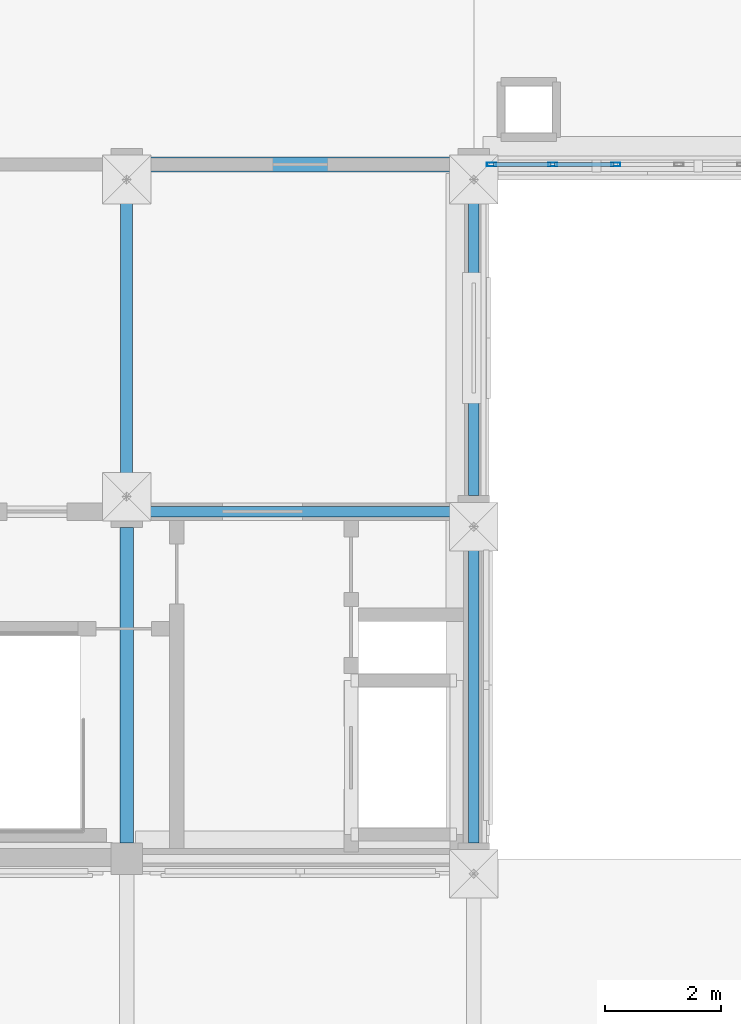
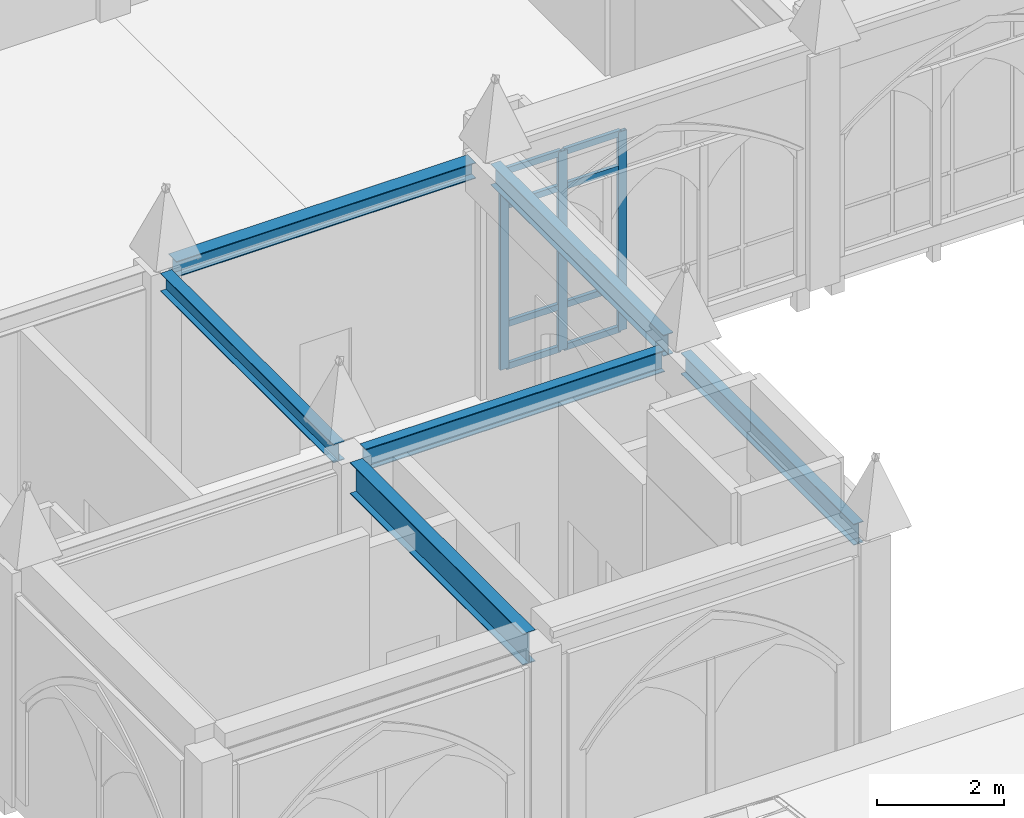
# One storey, part 38 of 108: 11 members, 6 beams, 1 element without a shape of its own.
"""IFC4 building model written with IfcOpenShell, lengths in metres."""

from ifc_helpers import new_model, si_unit, direction, frame, origin, origin_2d, place, context, subcontext, project, spatial, hollow_rectangle, i_section, extrude, material, layer, layer_set, material_profile, profile_set, type_object, element, aggregate, save


model = new_model("IFC4")

# Units and contexts
model_context = context("Model", 3, precision=1e-05, world=origin(), true_north=direction((0.0, 1.0)))
body_context = subcontext(model_context, "Body", "Model", "MODEL_VIEW")
ifc_project = project(units=[si_unit("LENGTHUNIT", "METRE"), si_unit("AREAUNIT", "SQUARE_METRE"), si_unit("VOLUMEUNIT", "CUBIC_METRE"), si_unit("PLANEANGLEUNIT", "RADIAN"), si_unit("MASSUNIT", "GRAM", prefix="KILO")], contexts=[model_context])

# Site, building, storey
site_placement = place(None, origin())
site = spatial("IfcSite", under=ifc_project, at=site_placement, CompositionType="ELEMENT")
building_placement = place(site_placement, origin())
building = spatial("IfcBuilding", under=site, at=building_placement, Name="Cumevento Cable Car Station", CompositionType="ELEMENT")
storey_placement = place(building_placement, frame((0.0, 0.0, 13.5)))
storey = spatial("IfcBuildingStorey", under=building, at=storey_placement, Name="L04", CompositionType="ELEMENT", Elevation=13.5)

# Curtain wall, members
ifc_material_1 = material(Name="Anodised Bronze Aluminium AW-6063-T6", Category="aluminium")
ifc_layer = layer(ifc_material_1, 0.172119140625)
ifc_layer_set = layer_set([ifc_layer], Name="Anodised Bronze Aluminium AW-6063-T6")
curtain_wall_type = type_object("IfcCurtainWallType", Name="Lancet Curtain Wall CW-03 1130", PredefinedType="NOTDEFINED", material=ifc_layer_set)
curtain_wall_placement = place(storey_placement, origin())
curtain_wall = element("IfcCurtainWall", 1, at=curtain_wall_placement, inside=storey, type_object=curtain_wall_type, Name="Lancet Curtain Wall CW-03 L04 #178", PredefinedType="NOTDEFINED")
ifc_material_2 = material(Name="Anodised Bronze Aluminium AW-6063-T6", Category="aluminium")
ifc_material_profile_1 = material_profile(ifc_material_2, hollow_rectangle(XDim=0.06494140625, YDim=0.159912109375, WallThickness=0.00390625, at=origin_2d()), Name="ALUM65x160x4")
ifc_profile_set_1 = profile_set([ifc_material_profile_1], Name="Anodised Bronze Aluminium AW-6063-T6")
member_type_1 = type_object("IfcMemberType", Name="Curtain Mullion CWM-01 ALUM65x160x4", PredefinedType="MULLION", material=ifc_profile_set_1)
member_1_placement = place(storey_placement, frame((132.455078125, 33.0, 0.260009765625), z_axis=(0.0, 0.0, 1.0), x_axis=(0.0, -1.0, 0.0)))
member_1 = element("IfcMember", 2, at=member_1_placement, type_object=member_type_1, Name="CW-03 mullion 4", PredefinedType="MULLION", context=body_context, shape_type="SweptSolid", body=[
    extrude(hollow_rectangle(XDim=0.06494140625, YDim=0.159912109375, WallThickness=0.00390625, at=origin_2d()), origin(), (0.0, 0.0, 1.0), 3.8330078125),
])
member_2_placement = place(storey_placement, frame((131.364990234375, 33.0, 0.260009765625), z_axis=(0.0, 0.0, 1.0), x_axis=(0.0, -1.0, 0.0)))
member_2 = element("IfcMember", 3, at=member_2_placement, type_object=member_type_1, Name="CW-03 mullion 5", PredefinedType="MULLION", context=body_context, shape_type="SweptSolid", body=[
    extrude(hollow_rectangle(XDim=0.06494140625, YDim=0.159912109375, WallThickness=0.00390625, at=origin_2d()), origin(), (0.0, 0.0, 1.0), 3.8330078125),
])
member_3_placement = place(storey_placement, frame((130.3076171875, 33.0, 0.260009765625), z_axis=(0.0, 0.0, 1.0), x_axis=(0.0, -1.0, 0.0)))
member_3 = element("IfcMember", 4, at=member_3_placement, type_object=member_type_1, Name="CW-03 mullion 6", PredefinedType="MULLION", context=body_context, shape_type="SweptSolid", body=[
    extrude(hollow_rectangle(XDim=0.06494140625, YDim=0.159912109375, WallThickness=0.00390625, at=origin_2d()), origin(), (0.0, 0.0, 1.0), 3.8330078125),
])
ifc_material_3 = material(Name="Anodised Bronze Aluminium AW-6063-T6", Category="aluminium")
ifc_material_profile_2 = material_profile(ifc_material_3, hollow_rectangle(XDim=0.06494140625, YDim=0.1201171875, WallThickness=0.00390625, at=origin_2d()), Name="ALUT65x120x4")
ifc_profile_set_2 = profile_set([ifc_material_profile_2], Name="Anodised Bronze Aluminium AW-6063-T6")
member_type_2 = type_object("IfcMemberType", Name="Curtain Transom CWT-01 ALUT65x120x4", PredefinedType="USERDEFINED", material=ifc_profile_set_2)
member_4_placement = place(storey_placement, frame((132.422607421875, 33.0, 0.29248046875), z_axis=(-1.0, 0.0, 0.0), x_axis=(0.0, -1.0, 0.0)))
member_4 = element("IfcMember", 5, at=member_4_placement, type_object=member_type_2, Name="CW-03 transom 4.1", ObjectType="TRANSOM", PredefinedType="USERDEFINED", context=body_context, shape_type="SweptSolid", body=[
    extrude(hollow_rectangle(XDim=0.06494140625, YDim=0.1201171875, WallThickness=0.00390625, at=origin_2d()), origin(), (0.0, 0.0, 1.0), 1.025146484375),
])
member_5_placement = place(storey_placement, frame((132.422607421875, 33.0, 1.110107421875), z_axis=(-1.0, 0.0, 0.0), x_axis=(0.0, -1.0, 0.0)))
member_5 = element("IfcMember", 6, at=member_5_placement, type_object=member_type_2, Name="CW-03 transom 4.2", ObjectType="TRANSOM", PredefinedType="USERDEFINED", context=body_context, shape_type="SweptSolid", body=[
    extrude(hollow_rectangle(XDim=0.06494140625, YDim=0.1201171875, WallThickness=0.00390625, at=origin_2d()), origin(), (0.0, 0.0, 1.0), 1.025146484375),
])
member_6_placement = place(storey_placement, frame((132.422607421875, 33.0, 3.39306640625), z_axis=(-1.0, 0.0, 0.0), x_axis=(0.0, -1.0, 0.0)))
member_6 = element("IfcMember", 7, at=member_6_placement, type_object=member_type_2, Name="CW-03 transom 4.3", ObjectType="TRANSOM", PredefinedType="USERDEFINED", context=body_context, shape_type="SweptSolid", body=[
    extrude(hollow_rectangle(XDim=0.06494140625, YDim=0.1201171875, WallThickness=0.00390625, at=origin_2d()), origin(), (0.0, 0.0, 1.0), 1.025146484375),
])
member_7_placement = place(storey_placement, frame((132.422607421875, 33.0, 4.060546875), z_axis=(-1.0, 0.0, 0.0), x_axis=(0.0, -1.0, 0.0)))
member_7 = element("IfcMember", 8, at=member_7_placement, type_object=member_type_2, Name="CW-03 transom 4.4", ObjectType="TRANSOM", PredefinedType="USERDEFINED", context=body_context, shape_type="SweptSolid", body=[
    extrude(hollow_rectangle(XDim=0.06494140625, YDim=0.1201171875, WallThickness=0.00390625, at=origin_2d()), origin(), (0.0, 0.0, 1.0), 1.025146484375),
])
member_8_placement = place(storey_placement, frame((131.33251953125, 33.0, 0.29248046875), z_axis=(-1.0, 0.0, 0.0), x_axis=(0.0, -1.0, 0.0)))
member_8 = element("IfcMember", 9, at=member_8_placement, type_object=member_type_2, Name="CW-03 transom 5.1", ObjectType="TRANSOM", PredefinedType="USERDEFINED", context=body_context, shape_type="SweptSolid", body=[
    extrude(hollow_rectangle(XDim=0.06494140625, YDim=0.1201171875, WallThickness=0.00390625, at=origin_2d()), origin(), (0.0, 0.0, 1.0), 0.992431640625),
])
member_9_placement = place(storey_placement, frame((131.33251953125, 33.0, 1.110107421875), z_axis=(-1.0, 0.0, 0.0), x_axis=(0.0, -1.0, 0.0)))
member_9 = element("IfcMember", 10, at=member_9_placement, type_object=member_type_2, Name="CW-03 transom 5.2", ObjectType="TRANSOM", PredefinedType="USERDEFINED", context=body_context, shape_type="SweptSolid", body=[
    extrude(hollow_rectangle(XDim=0.06494140625, YDim=0.1201171875, WallThickness=0.00390625, at=origin_2d()), origin(), (0.0, 0.0, 1.0), 0.992431640625),
])
member_10_placement = place(storey_placement, frame((131.33251953125, 33.0, 3.39306640625), z_axis=(-1.0, 0.0, 0.0), x_axis=(0.0, -1.0, 0.0)))
member_10 = element("IfcMember", 11, at=member_10_placement, type_object=member_type_2, Name="CW-03 transom 5.3", ObjectType="TRANSOM", PredefinedType="USERDEFINED", context=body_context, shape_type="SweptSolid", body=[
    extrude(hollow_rectangle(XDim=0.06494140625, YDim=0.1201171875, WallThickness=0.00390625, at=origin_2d()), origin(), (0.0, 0.0, 1.0), 0.992431640625),
])
member_11_placement = place(storey_placement, frame((131.33251953125, 33.0, 4.060546875), z_axis=(-1.0, 0.0, 0.0), x_axis=(0.0, -1.0, 0.0)))
member_11 = element("IfcMember", 12, at=member_11_placement, type_object=member_type_2, Name="CW-03 transom 5.4", ObjectType="TRANSOM", PredefinedType="USERDEFINED", context=body_context, shape_type="SweptSolid", body=[
    extrude(hollow_rectangle(XDim=0.06494140625, YDim=0.1201171875, WallThickness=0.00390625, at=origin_2d()), origin(), (0.0, 0.0, 1.0), 0.992431640625),
])
aggregate(curtain_wall, [member_1, member_2, member_3, member_4, member_5, member_6, member_7, member_8, member_9, member_10, member_11])

# Beams
ifc_material_4 = material(Name="Steel ASTM A572 Grade 50", Category="steel")
ifc_material_profile_3 = material_profile(ifc_material_4, i_section(OverallWidth=0.22802734375, OverallDepth=0.60791015625, WebThickness=0.01123046875, FlangeThickness=0.017333984375, at=origin_2d()), Name="W610x113.0")
ifc_profile_set_3 = profile_set([ifc_material_profile_3], Name="Steel ASTM A572 Grade 50")
beam_type_1 = type_object("IfcBeamType", Name="Structural Beam BM-02 W610x113.0", PredefinedType="BEAM", material=ifc_profile_set_3)
beam_1_placement = place(storey_placement, frame((124.0, 21.27490234375, 4.196044921875), z_axis=(0.0, 1.0, 0.0), x_axis=(-1.0, 0.0, 0.0)))
element("IfcBeam", 13, at=beam_1_placement, inside=storey, type_object=beam_type_1, Name="Beam BM-02 L04 #1456", PredefinedType="BEAM", context=body_context, shape_type="SweptSolid", body=[
    extrude(i_section(OverallWidth=0.22802734375, OverallDepth=0.60791015625, WebThickness=0.01123046875, FlangeThickness=0.017333984375, at=origin_2d()), origin(), (0.0, 0.0, 1.0), 5.4501953125),
])
ifc_material_5 = material(Name="Steel ASTM A572 Grade 50", Category="steel")
ifc_material_profile_4 = material_profile(ifc_material_5, i_section(OverallWidth=0.205078125, OverallDepth=0.35400390625, WebThickness=0.009521484375, FlangeThickness=0.016845703125, at=origin_2d()), Name="W360x79.0")
ifc_profile_set_4 = profile_set([ifc_material_profile_4], Name="Steel ASTM A572 Grade 50")
beam_type_2 = type_object("IfcBeamType", Name="Structural Beam BM-05 W360x79.0", PredefinedType="BEAM", material=ifc_profile_set_4)
beam_2_placement = place(storey_placement, frame((124.0, 27.27490234375, 4.322998046875), z_axis=(0.0, 1.0, 0.0), x_axis=(-1.0, 0.0, 0.0)))
element("IfcBeam", 14, at=beam_2_placement, inside=storey, type_object=beam_type_2, Name="Beam BM-05 L04 #1461", PredefinedType="BEAM", context=body_context, shape_type="SweptSolid", body=[
    extrude(i_section(OverallWidth=0.205078125, OverallDepth=0.35400390625, WebThickness=0.009521484375, FlangeThickness=0.016845703125, at=origin_2d()), origin(), (0.0, 0.0, 1.0), 5.4501953125),
])
ifc_material_6 = material(Name="Steel ASTM A572 Grade 50", Category="steel")
ifc_material_profile_5 = material_profile(ifc_material_6, i_section(OverallWidth=0.25390625, OverallDepth=0.305908203125, WebThickness=0.0087890625, FlangeThickness=0.0146484375, at=origin_2d()), Name="W310x79.0")
ifc_profile_set_5 = profile_set([ifc_material_profile_5], Name="Steel ASTM A572 Grade 50")
beam_type_3 = type_object("IfcBeamType", Name="Structural Beam BM-06 W310x79.0", PredefinedType="BEAM", material=ifc_profile_set_5)
beam_3_placement = place(storey_placement, frame((124.27490234375, 33.0, 4.346923828125), z_axis=(1.0, 0.0, 0.0), x_axis=(0.0, 1.0, 0.0)))
element("IfcBeam", 15, at=beam_3_placement, inside=storey, type_object=beam_type_3, Name="Beam BM-06 L04 #1459", PredefinedType="BEAM", context=body_context, shape_type="SweptSolid", body=[
    extrude(i_section(OverallWidth=0.25390625, OverallDepth=0.305908203125, WebThickness=0.0087890625, FlangeThickness=0.0146484375, at=origin_2d()), origin(), (0.0, 0.0, 1.0), 5.4501953125),
])
ifc_material_7 = material(Name="Steel ASTM A572 Grade 50", Category="steel")
ifc_material_profile_6 = material_profile(ifc_material_7, i_section(OverallWidth=0.179931640625, OverallDepth=0.4130859375, WebThickness=0.009765625, FlangeThickness=0.01611328125, at=origin_2d()), Name="W410x74.0")
ifc_profile_set_6 = profile_set([ifc_material_profile_6], Name="Steel ASTM A572 Grade 50")
beam_type_4 = type_object("IfcBeamType", Name="Structural Beam BM-09 W410x74.0", PredefinedType="BEAM", material=ifc_profile_set_6)
beam_4_placement = place(storey_placement, frame((124.27490234375, 27.0, 4.29345703125), z_axis=(1.0, 0.0, 0.0), x_axis=(0.0, 1.0, 0.0)))
element("IfcBeam", 16, at=beam_4_placement, inside=storey, type_object=beam_type_4, Name="Beam BM-09 L04 #1454", PredefinedType="BEAM", context=body_context, shape_type="SweptSolid", body=[
    extrude(i_section(OverallWidth=0.179931640625, OverallDepth=0.4130859375, WebThickness=0.009765625, FlangeThickness=0.01611328125, at=origin_2d()), origin(), (0.0, 0.0, 1.0), 5.4501953125),
])
ifc_material_8 = material(Name="Steel ASTM A572 Grade 50", Category="steel")
ifc_material_profile_7 = material_profile(ifc_material_8, i_section(OverallWidth=0.177978515625, OverallDepth=0.406982421875, WebThickness=0.0078125, FlangeThickness=0.0126953125, at=origin_2d()), Name="W410x60.0")
ifc_profile_set_7 = profile_set([ifc_material_profile_7], Name="Steel ASTM A572 Grade 50")
beam_type_5 = type_object("IfcBeamType", Name="Structural Spandrel SP-01 W410x60.0", PredefinedType="SPANDREL", material=ifc_profile_set_7)
for number, where, z_axis, x_axis, name in (
    (17, (130.0, 21.27490234375, 4.29638671875), (0.0, 1.0, 0.0), (-1.0, 0.0, 0.0), "Beam SP-01 L04 #1457"),
    (18, (130.0, 27.27490234375, 4.29638671875), (0.0, 1.0, 0.0), (-1.0, 0.0, 0.0), "Beam SP-01 L04 #1462"),
):
    element("IfcBeam", number, at=place(storey_placement, frame(where, z_axis=z_axis, x_axis=x_axis)), inside=storey, type_object=beam_type_5, Name=name, PredefinedType="SPANDREL", context=body_context, shape_type="SweptSolid", body=[
        extrude(i_section(OverallWidth=0.177978515625, OverallDepth=0.406982421875, WebThickness=0.0078125, FlangeThickness=0.0126953125, at=origin_2d()), origin(), (0.0, 0.0, 1.0), 5.4501953125),
    ])

save(model, "model.ifc")
